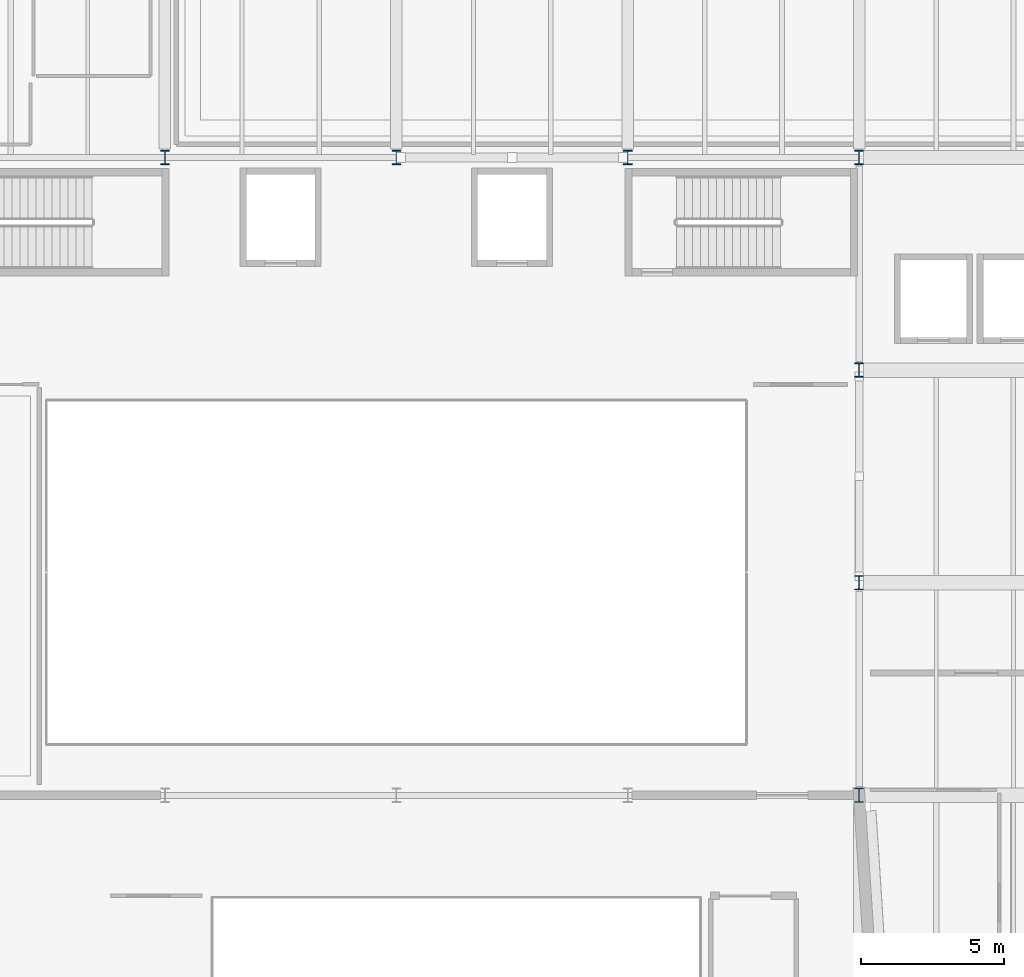
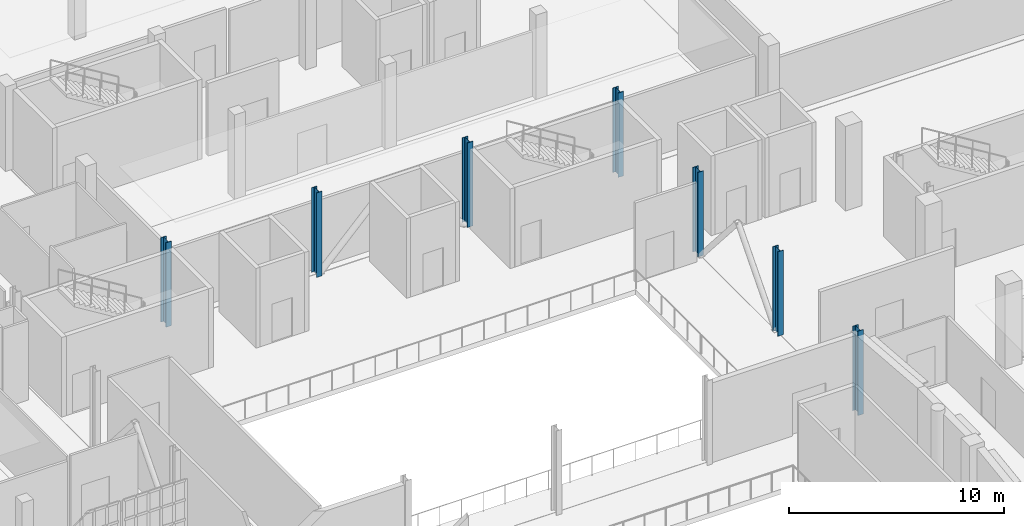
# One storey, part 3 of 104: 7 columns.
"""IFC4 building model written with IfcOpenShell, lengths in metres."""

import ifcopenshell
import ifcopenshell.guid

model = None  # the IFC model being written
_history = None  # IfcOwnerHistory: only IFC2X3 demands one
_inside = {}  # id of a spatial element -> (the spatial element, [elements in it])
_under = {}  # id of a project, library or spatial element -> (it, [spatial elements below it])
_declared = {}  # id of a project -> (the project, [libraries it declares])
_typed = {}  # id of a type object -> (the type object, [elements of that type])
_made_of = {}  # id of a material, layer set ... -> (it, [elements and type objects made of it])


def new_model(schema):
    """Start an empty IFC model of exactly this schema.

    Asked for "IFC4X3", IfcOpenShell would pick the latest addendum, in which some entities
    have other attributes; the version numbers below select the first issue.
    IFC2X3 requires an IfcOwnerHistory on every rooted entity: one is made here for all.
    """
    global model, _history
    if schema == "IFC4X3":
        model = ifcopenshell.file(schema_version=(4, 3, 0, 0))
    else:
        model = ifcopenshell.file(schema=schema)
    _inside.clear()
    _under.clear()
    _declared.clear()
    _typed.clear()
    _made_of.clear()
    _history = None
    if model.schema == "IFC2X3":
        org = make("IfcOrganization", Name="unknown")
        user = make(
            "IfcPersonAndOrganization",
            ThePerson=make("IfcPerson", FamilyName="unknown"),
            TheOrganization=org,
        )
        app = make(
            "IfcApplication",
            ApplicationDeveloper=org,
            Version="unknown",
            ApplicationFullName="unknown",
            ApplicationIdentifier="unknown",
        )
        _history = make(
            "IfcOwnerHistory",
            OwningUser=user,
            OwningApplication=app,
            ChangeAction="ADDED",
            CreationDate=0,
        )
    return model


def make(cls, **values):
    """One entity of the class cls with the attributes given. An attribute that is None is left unset."""
    return model.create_entity(
        cls, **{name: value for name, value in values.items() if value is not None}
    )


def rooted(cls, **values):
    """An entity with a GlobalId (a new one), such as an element, a storey or a relation."""
    return make(cls, GlobalId=ifcopenshell.guid.new(), OwnerHistory=_history, **values)


def si_unit(unit_type, name, prefix=None):
    """IfcSIUnit, for example si_unit("LENGTHUNIT", "METRE", prefix="MILLI")."""
    return make("IfcSIUnit", UnitType=unit_type, Prefix=prefix, Name=name)


def assignment(units):
    """IfcUnitAssignment: the units of a project."""
    return None if units is None else make("IfcUnitAssignment", Units=units)


def point(xyz):
    """IfcCartesianPoint."""
    return None if xyz is None else make("IfcCartesianPoint", Coordinates=xyz)


def direction(xyz):
    """IfcDirection."""
    return None if xyz is None else make("IfcDirection", DirectionRatios=xyz)


def frame(location, z_axis=None, x_axis=None):
    """IfcAxis2Placement3D, a coordinate frame: its origin and axes. An axis left out is left unset."""
    return make(
        "IfcAxis2Placement3D",
        Location=point(location),
        Axis=direction(z_axis),
        RefDirection=direction(x_axis),
    )


def frame_2d(location, x_axis=None):
    """IfcAxis2Placement2D, a coordinate frame in the plane: its origin and x axis."""
    return make(
        "IfcAxis2Placement2D", Location=point(location), RefDirection=direction(x_axis)
    )


def origin():
    """The frame at (0, 0, 0) with its axes left unset."""
    return frame((0.0, 0.0, 0.0))


def origin_2d():
    """The frame at (0, 0) in the plane with its x axis left unset."""
    return frame_2d((0.0, 0.0))


def place(relative_to, where):
    """IfcLocalPlacement: puts the frame where relative to a parent placement (None: the world)."""
    return make(
        "IfcLocalPlacement", PlacementRelTo=relative_to, RelativePlacement=where
    )


def context(
    kind, dimensions, precision=None, world=None, true_north=None, identifier=None
):
    """IfcGeometricRepresentationContext, for example the 3D "Model" context."""
    return make(
        "IfcGeometricRepresentationContext",
        ContextIdentifier=identifier,
        ContextType=kind,
        CoordinateSpaceDimension=dimensions,
        Precision=precision,
        WorldCoordinateSystem=world,
        TrueNorth=true_north,
    )


def subcontext(parent, identifier, kind, view, scale=None):
    """IfcGeometricRepresentationSubContext, for example "Body" below "Model"."""
    return make(
        "IfcGeometricRepresentationSubContext",
        ContextIdentifier=identifier,
        ContextType=kind,
        ParentContext=parent,
        TargetScale=scale,
        TargetView=view,
    )


def project(units=None, contexts=None):
    """IfcProject with its units and contexts."""
    return rooted(
        "IfcProject",
        Name="project",
        RepresentationContexts=contexts,
        UnitsInContext=assignment(units),
    )


def spatial(cls, under=None, at=None, **own):
    """A site, building, storey or space (cls), placed at a placement, below another one or the project."""
    s = rooted(cls, ObjectPlacement=at, **own)
    if under is not None:
        _under.setdefault(under.id(), (under, []))[1].append(s)
    return s


def profile(cls, at=None, kind="AREA", **sizes):
    """A parametric profile (cls). Its sizes go by their IFC names, for example OverallWidth=200.0."""
    return make(cls, ProfileType=kind, Position=at, **sizes)


def i_section(**sizes):
    """IfcIShapeProfileDef."""
    return profile("IfcIShapeProfileDef", **sizes)


def extrude(swept, where, along, depth):
    """IfcExtrudedAreaSolid: the profile swept, set in the frame where, extruded along a direction by depth."""
    return make(
        "IfcExtrudedAreaSolid",
        SweptArea=swept,
        Position=where,
        ExtrudedDirection=direction(along),
        Depth=depth,
    )


def shape(context_of_items, identifier, shape_type, items):
    """IfcShapeRepresentation: the items that make up one representation, for example the "Body"."""
    return make(
        "IfcShapeRepresentation",
        ContextOfItems=context_of_items,
        RepresentationIdentifier=identifier,
        RepresentationType=shape_type,
        Items=items,
    )


def material(Name=None, Category=None):
    """IfcMaterial."""
    return make("IfcMaterial", Name=Name, Category=Category)


def material_profile(
    of_material, cross_section, Name=None, Category=None, Priority=None
):
    """IfcMaterialProfile: a cross section and its material."""
    return make(
        "IfcMaterialProfile",
        Name=Name,
        Material=of_material,
        Profile=cross_section,
        Priority=Priority,
        Category=Category,
    )


def profile_set(profiles, Name=None, composite=None):
    """IfcMaterialProfileSet."""
    return make(
        "IfcMaterialProfileSet",
        Name=Name,
        MaterialProfiles=profiles,
        CompositeProfile=composite,
    )


def made_of(thing, what):
    """Note that an element or type object is made of a material, layer set ...; save() writes the relation."""
    if what is not None:
        _made_of.setdefault(what.id(), (what, []))[1].append(thing)
    return thing


def type_object(cls, material=None, **own):
    """A type object (cls), such as IfcWallType, which elements share."""
    return made_of(rooted(cls, **own), material)


def element(
    cls,
    number,
    at=None,
    inside=None,
    cuts=None,
    type_object=None,
    material=None,
    context=None,
    identifier="Body",
    shape_type=None,
    held_by="IfcProductDefinitionShape",
    body=None,
    shapes=None,
    **own,
):
    """One element of the class cls, such as IfcWall. Its Tag is "e" and its number.

    at: its placement. inside: the storey or other place that contains it. cuts: it is an
    opening in that element (IfcRelVoidsElement). A single representation is given by context,
    identifier, shape_type and body (its items); several are given by shapes. held_by: the class
    of the entity that holds the representations. save() writes the other relations.
    """
    e = rooted(cls, Tag="e%d" % number, ObjectPlacement=at, **own)
    if body is not None:
        shapes = [shape(context, identifier, shape_type, body)]
    if shapes is not None:
        e.Representation = make(held_by, Representations=shapes)
    if inside is not None:
        _inside.setdefault(inside.id(), (inside, []))[1].append(e)
    if cuts is not None:
        rooted(
            "IfcRelVoidsElement", RelatingBuildingElement=cuts, RelatedOpeningElement=e
        )
    if type_object is not None:
        _typed.setdefault(type_object.id(), (type_object, []))[1].append(e)
    return made_of(e, material)


def aggregate(whole, parts):
    """IfcRelAggregates: a whole, such as a stair, and the parts it consists of."""
    return rooted("IfcRelAggregates", RelatingObject=whole, RelatedObjects=parts)


def save(model, path):
    """Write the relations noted so far, then the file.

    IfcRelAggregates (storeys below a building ...), IfcRelContainedInSpatialStructure (elements
    in a storey), IfcRelDefinesByType, IfcRelAssociatesMaterial and IfcRelDeclares: one each for
    every whole, place, type object, material and project.
    """
    for whole, parts in _under.values():
        aggregate(whole, parts)
    for where, things in _inside.values():
        rooted(
            "IfcRelContainedInSpatialStructure",
            RelatedElements=things,
            RelatingStructure=where,
        )
    for kind, things in _typed.values():
        rooted("IfcRelDefinesByType", RelatedObjects=things, RelatingType=kind)
    for what, things in _made_of.values():
        rooted("IfcRelAssociatesMaterial", RelatedObjects=things, RelatingMaterial=what)
    for by, libraries in _declared.values():
        rooted("IfcRelDeclares", RelatingContext=by, RelatedDefinitions=libraries)
    model.write(path)


model = new_model("IFC4")

# Units and contexts
model_context = context("Model", 3, precision=1e-05, world=origin(), true_north=direction((0.0, 1.0)))
body_context = subcontext(model_context, "Body", "Model", "MODEL_VIEW")
ifc_project = project(units=[si_unit("LENGTHUNIT", "METRE"), si_unit("AREAUNIT", "SQUARE_METRE"), si_unit("VOLUMEUNIT", "CUBIC_METRE"), si_unit("PLANEANGLEUNIT", "RADIAN"), si_unit("MASSUNIT", "GRAM", prefix="KILO")], contexts=[model_context])

# Site, building, storey
site_placement = place(None, origin())
site = spatial("IfcSite", under=ifc_project, at=site_placement, CompositionType="ELEMENT")
building_placement = place(site_placement, origin())
building = spatial("IfcBuilding", under=site, at=building_placement, Name="Kaelora Sail Theatre", CompositionType="ELEMENT")
storey_placement = place(building_placement, frame((0.0, 0.0, 5.39990234375)))
storey = spatial("IfcBuildingStorey", under=building, at=storey_placement, Name="L01", CompositionType="ELEMENT", Elevation=5.39990234375)

# Columns
ifc_material = material(Name="Steel S355", Category="steel")
ifc_material_profile = material_profile(ifc_material, i_section(OverallWidth=0.300048828125, OverallDepth=0.5, WebThickness=0.014404296875, FlangeThickness=0.028076171875, FilletRadius=0.027099609375, at=origin_2d()), Name="HEB 500")
ifc_profile_set = profile_set([ifc_material_profile], Name="Steel S355")
column_type = type_object("IfcColumnType", Name="STR-COL-C-HEB500", PredefinedType="COLUMN", material=ifc_profile_set)
for number, where, z_axis, x_axis, name in (
    (1, (33.89990234375, 83.340087890625, 0.0), (0.0, 0.0, 1.0), (1.0, 0.0, 0.0), "Column 5/L (L01)"),
    (2, (42.0, 83.340087890625, 0.0), (0.0, 0.0, 1.0), (1.0, 0.0, 0.0), "Column 6/L (L01)"),
    (3, (50.10009765625, 83.340087890625, 0.0), (0.0, 0.0, 1.0), (1.0, 0.0, 0.0), "Column 7/L (L01)"),
    (4, (58.199951171875, 61.02001953125, 0.0), (0.0, 0.0, 1.0), (1.0, 0.0, 0.0), "Column 8/I (L01)"),
    (5, (58.199951171875, 68.4599609375, 0.0), (0.0, 0.0, 1.0), (1.0, 0.0, 0.0), "Column 8/J (L01)"),
    (6, (58.199951171875, 75.89990234375, 0.0), (0.0, 0.0, 1.0), (1.0, 0.0, 0.0), "Column 8/K (L01)"),
    (7, (58.199951171875, 83.340087890625, 0.0), (0.0, 0.0, 1.0), (1.0, 0.0, 0.0), "Column 8/L (L01)"),
):
    element("IfcColumn", number, at=place(storey_placement, frame(where, z_axis=z_axis, x_axis=x_axis)), inside=storey, type_object=column_type, Name=name, PredefinedType="COLUMN", context=body_context, shape_type="SweptSolid", body=[
        extrude(i_section(OverallWidth=0.300048828125, OverallDepth=0.5, WebThickness=0.014404296875, FlangeThickness=0.028076171875, FilletRadius=0.027099609375, at=origin_2d()), origin(), (0.0, 0.0, 1.0), 4.800048828125),
    ])

save(model, "model.ifc")
